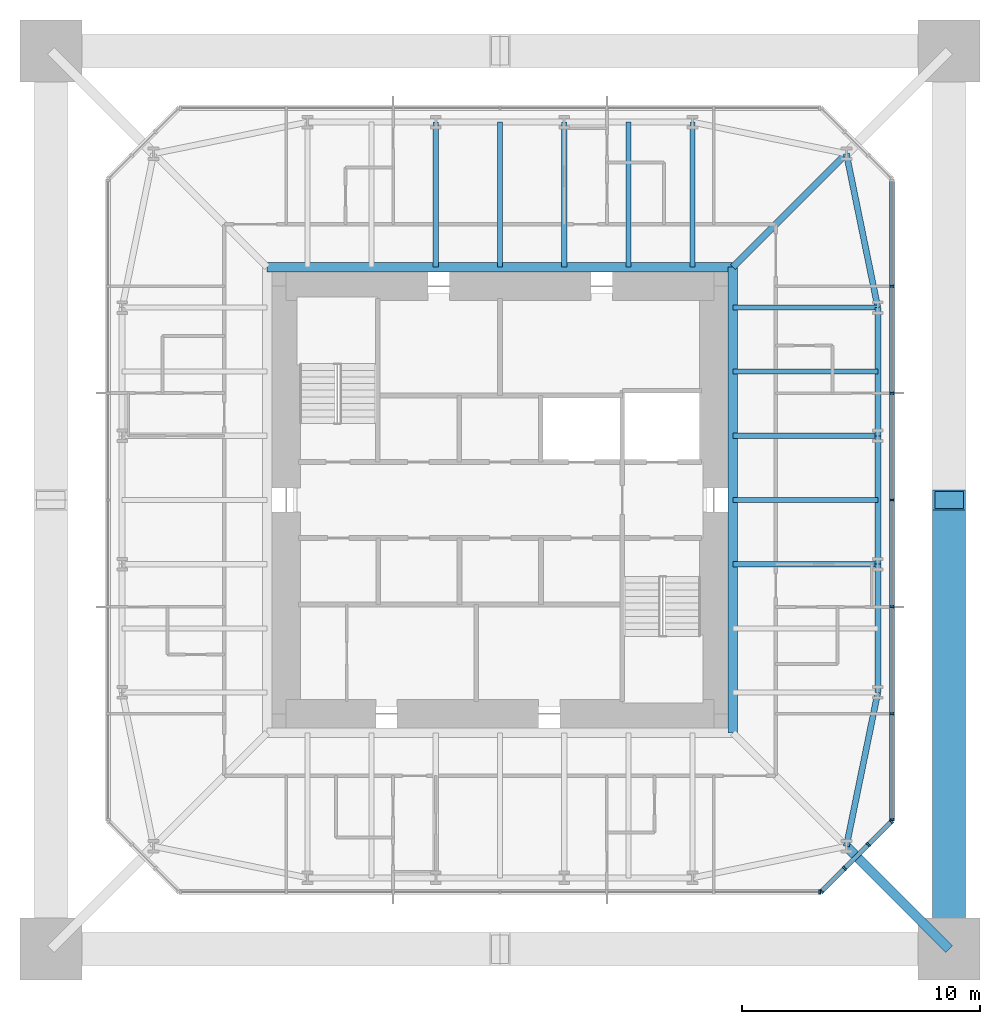
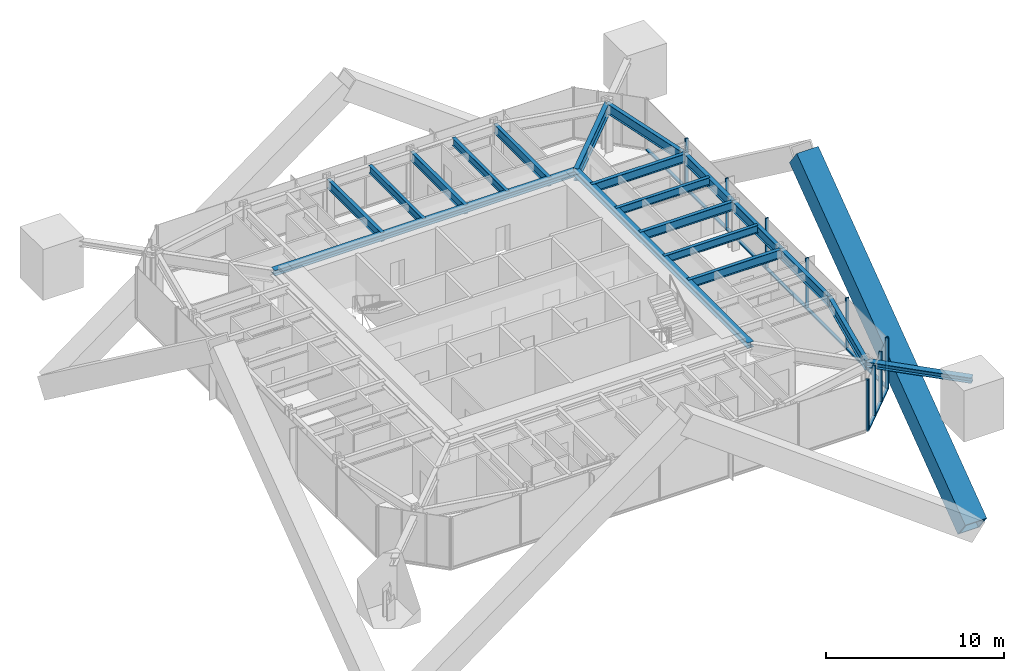
# One storey, part 4 of 10: 22 members, 18 beams, 3 elements without a shape of their own.
"""IFC4 building model written with IfcOpenShell, lengths in metres."""

from ifc_helpers import new_model, si_unit, direction, frame, origin, origin_2d, place, context, subcontext, project, spatial, rectangle, hollow_rectangle, i_section, extrude, material, material_profile, profile_set, type_object, element, aggregate, save


model = new_model("IFC4")

# Units and contexts
model_context = context("Model", 3, precision=1e-05, world=origin(), true_north=direction((0.0, 1.0)))
body_context = subcontext(model_context, "Body", "Model", "MODEL_VIEW")
ifc_project = project(units=[si_unit("LENGTHUNIT", "METRE"), si_unit("AREAUNIT", "SQUARE_METRE"), si_unit("VOLUMEUNIT", "CUBIC_METRE"), si_unit("PLANEANGLEUNIT", "RADIAN"), si_unit("MASSUNIT", "GRAM", prefix="KILO")], contexts=[model_context])

# Site, building, storey
site_placement = place(None, origin())
site = spatial("IfcSite", under=ifc_project, at=site_placement, CompositionType="ELEMENT")
building_placement = place(site_placement, origin())
building = spatial("IfcBuilding", under=site, at=building_placement, Name="Iwan Alto Co-Living Towers", CompositionType="ELEMENT")
storey_placement = place(building_placement, frame((0.0, 0.0, 246.5)))
storey = spatial("IfcBuildingStorey", under=building, at=storey_placement, Name="L67", CompositionType="ELEMENT", Elevation=246.5)

# Curtain wall, member
ifc_material_1 = material(Name="Bronze aluminium unitised frame", Category="aluminium")
curtain_wall_type_1 = type_object("IfcCurtainWallType", Name="CURTAIN WALL CW-A", PredefinedType="NOTDEFINED", material=ifc_material_1)
curtain_wall_1_placement = place(storey_placement, origin())
curtain_wall_1 = element("IfcCurtainWall", 1, at=curtain_wall_1_placement, inside=storey, type_object=curtain_wall_type_1, Name="T1 curtain wall S L67", PredefinedType="NOTDEFINED")
ifc_material_2 = material(Name="Aluminium 6063-T6 bronze anodised", Category="aluminium")
ifc_material_profile_1 = material_profile(ifc_material_2, rectangle(XDim=0.199951171875, YDim=0.080078125, at=origin_2d()), Name="AL 80X200")
ifc_profile_set_1 = profile_set([ifc_material_profile_1], Name="Aluminium 6063-T6 bronze anodised")
member_type_1 = type_object("IfcMemberType", Name="CW-A MULLION 80X200", PredefinedType="MULLION", material=ifc_profile_set_1)
member_1_placement = place(storey_placement, frame((13.4599609375, -16.5, 0.0), z_axis=(0.0, 0.0, 1.0), x_axis=(0.0, 1.0, 0.0)))
member_1 = element("IfcMember", 2, at=member_1_placement, type_object=member_type_1, Name="CW-A mullion 7", PredefinedType="MULLION", context=body_context, shape_type="SweptSolid", body=[
    extrude(rectangle(XDim=0.199951171875, YDim=0.080078125, at=origin_2d()), origin(), (0.0, 0.0, 1.0), 3.5),
])
aggregate(curtain_wall_1, [member_1])

# Curtain wall, members
curtain_wall_2_placement = place(storey_placement, origin())
curtain_wall_2 = element("IfcCurtainWall", 3, at=curtain_wall_2_placement, inside=storey, type_object=curtain_wall_type_1, Name="T1 curtain wall E L67", PredefinedType="NOTDEFINED")
member_2_placement = place(storey_placement, frame((16.5, -13.4599609375, 0.0), z_axis=(0.0, 0.0, 1.0), x_axis=(-1.0, 0.0, 0.0)))
member_2 = element("IfcMember", 4, at=member_2_placement, type_object=member_type_1, Name="CW-A mullion 1", PredefinedType="MULLION", context=body_context, shape_type="SweptSolid", body=[
    extrude(rectangle(XDim=0.199951171875, YDim=0.080078125, at=origin_2d()), origin(), (0.0, 0.0, 1.0), 3.5),
])
member_3_placement = place(storey_placement, frame((16.5, -9.0, 0.0), z_axis=(0.0, 0.0, 1.0), x_axis=(-1.0, 0.0, 0.0)))
member_3 = element("IfcMember", 5, at=member_3_placement, type_object=member_type_1, Name="CW-A mullion 2", PredefinedType="MULLION", context=body_context, shape_type="SweptSolid", body=[
    extrude(rectangle(XDim=0.199951171875, YDim=0.080078125, at=origin_2d()), origin(), (0.0, 0.0, 1.0), 3.5),
])
member_4_placement = place(storey_placement, frame((16.5, -4.5, 0.0), z_axis=(0.0, 0.0, 1.0), x_axis=(-1.0, 0.0, 0.0)))
member_4 = element("IfcMember", 6, at=member_4_placement, type_object=member_type_1, Name="CW-A mullion 3", PredefinedType="MULLION", context=body_context, shape_type="SweptSolid", body=[
    extrude(rectangle(XDim=0.199951171875, YDim=0.080078125, at=origin_2d()), origin(), (0.0, 0.0, 1.0), 3.5),
])
member_5_placement = place(storey_placement, frame((16.5, 0.0, 0.0), z_axis=(0.0, 0.0, 1.0), x_axis=(-1.0, 0.0, 0.0)))
member_5 = element("IfcMember", 7, at=member_5_placement, type_object=member_type_1, Name="CW-A mullion 4", PredefinedType="MULLION", context=body_context, shape_type="SweptSolid", body=[
    extrude(rectangle(XDim=0.199951171875, YDim=0.080078125, at=origin_2d()), origin(), (0.0, 0.0, 1.0), 3.5),
])
member_6_placement = place(storey_placement, frame((16.5, 4.5, 0.0), z_axis=(0.0, 0.0, 1.0), x_axis=(-1.0, 0.0, 0.0)))
member_6 = element("IfcMember", 8, at=member_6_placement, type_object=member_type_1, Name="CW-A mullion 5", PredefinedType="MULLION", context=body_context, shape_type="SweptSolid", body=[
    extrude(rectangle(XDim=0.199951171875, YDim=0.080078125, at=origin_2d()), origin(), (0.0, 0.0, 1.0), 3.5),
])
member_7_placement = place(storey_placement, frame((16.5, 9.0, 0.0), z_axis=(0.0, 0.0, 1.0), x_axis=(-1.0, 0.0, 0.0)))
member_7 = element("IfcMember", 9, at=member_7_placement, type_object=member_type_1, Name="CW-A mullion 6", PredefinedType="MULLION", context=body_context, shape_type="SweptSolid", body=[
    extrude(rectangle(XDim=0.199951171875, YDim=0.080078125, at=origin_2d()), origin(), (0.0, 0.0, 1.0), 3.5),
])
ifc_material_3 = material(Name="Aluminium 6063-T6 bronze anodised", Category="aluminium")
ifc_material_profile_2 = material_profile(ifc_material_3, rectangle(XDim=0.199951171875, YDim=0.10009765625, at=origin_2d()), Name="AL 200X100")
ifc_profile_set_2 = profile_set([ifc_material_profile_2], Name="Aluminium 6063-T6 bronze anodised")
member_type_2 = type_object("IfcMemberType", Name="CW-A TRANSOM 200X100", PredefinedType="USERDEFINED", material=ifc_profile_set_2)
member_8_placement = place(storey_placement, frame((16.5, -13.419921875, 0.050048828125), z_axis=(0.0, 1.0, 0.0), x_axis=(-1.0, 0.0, 0.0)))
member_8 = element("IfcMember", 10, at=member_8_placement, type_object=member_type_2, Name="CW-A transom 1.1", ObjectType="TRANSOM", PredefinedType="USERDEFINED", context=body_context, shape_type="SweptSolid", body=[
    extrude(rectangle(XDim=0.199951171875, YDim=0.10009765625, at=origin_2d()), origin(), (0.0, 0.0, 1.0), 4.3798828125),
])
member_9_placement = place(storey_placement, frame((16.5, -8.9599609375, 0.050048828125), z_axis=(0.0, 1.0, 0.0), x_axis=(-1.0, 0.0, 0.0)))
member_9 = element("IfcMember", 11, at=member_9_placement, type_object=member_type_2, Name="CW-A transom 2.1", ObjectType="TRANSOM", PredefinedType="USERDEFINED", context=body_context, shape_type="SweptSolid", body=[
    extrude(rectangle(XDim=0.199951171875, YDim=0.10009765625, at=origin_2d()), origin(), (0.0, 0.0, 1.0), 4.419921875),
])
member_10_placement = place(storey_placement, frame((16.5, -4.4599609375, 0.050048828125), z_axis=(0.0, 1.0, 0.0), x_axis=(-1.0, 0.0, 0.0)))
member_10 = element("IfcMember", 12, at=member_10_placement, type_object=member_type_2, Name="CW-A transom 3.1", ObjectType="TRANSOM", PredefinedType="USERDEFINED", context=body_context, shape_type="SweptSolid", body=[
    extrude(rectangle(XDim=0.199951171875, YDim=0.10009765625, at=origin_2d()), origin(), (0.0, 0.0, 1.0), 4.419921875),
])
member_11_placement = place(storey_placement, frame((16.5, 0.0400390625, 0.050048828125), z_axis=(0.0, 1.0, 0.0), x_axis=(-1.0, 0.0, 0.0)))
member_11 = element("IfcMember", 13, at=member_11_placement, type_object=member_type_2, Name="CW-A transom 4.1", ObjectType="TRANSOM", PredefinedType="USERDEFINED", context=body_context, shape_type="SweptSolid", body=[
    extrude(rectangle(XDim=0.199951171875, YDim=0.10009765625, at=origin_2d()), origin(), (0.0, 0.0, 1.0), 4.419921875),
])
member_12_placement = place(storey_placement, frame((16.5, 4.5400390625, 0.050048828125), z_axis=(0.0, 1.0, 0.0), x_axis=(-1.0, 0.0, 0.0)))
member_12 = element("IfcMember", 14, at=member_12_placement, type_object=member_type_2, Name="CW-A transom 5.1", ObjectType="TRANSOM", PredefinedType="USERDEFINED", context=body_context, shape_type="SweptSolid", body=[
    extrude(rectangle(XDim=0.199951171875, YDim=0.10009765625, at=origin_2d()), origin(), (0.0, 0.0, 1.0), 4.419921875),
])
member_13_placement = place(storey_placement, frame((16.5, 9.0400390625, 0.050048828125), z_axis=(0.0, 1.0, 0.0), x_axis=(-1.0, 0.0, 0.0)))
member_13 = element("IfcMember", 15, at=member_13_placement, type_object=member_type_2, Name="CW-A transom 6.1", ObjectType="TRANSOM", PredefinedType="USERDEFINED", context=body_context, shape_type="SweptSolid", body=[
    extrude(rectangle(XDim=0.199951171875, YDim=0.10009765625, at=origin_2d()), origin(), (0.0, 0.0, 1.0), 4.3798828125),
])
aggregate(curtain_wall_2, [member_2, member_3, member_4, member_5, member_6, member_7, member_8, member_9, member_10, member_11, member_12, member_13])

ifc_material_4 = material(Name="Bronze aluminium unitised frame", Category="aluminium")
curtain_wall_type_2 = type_object("IfcCurtainWallType", Name="CURTAIN WALL CW-B", PredefinedType="NOTDEFINED", material=ifc_material_4)
curtain_wall_3_placement = place(storey_placement, origin())
curtain_wall_3 = element("IfcCurtainWall", 16, at=curtain_wall_3_placement, inside=storey, type_object=curtain_wall_type_2, Name="T1 chamfer curtain wall SE L67", PredefinedType="NOTDEFINED")
ifc_material_5 = material(Name="Aluminium 6063-T6 bronze anodised", Category="aluminium")
ifc_material_profile_3 = material_profile(ifc_material_5, rectangle(XDim=0.199951171875, YDim=0.080078125, at=origin_2d()), Name="AL 80X200")
ifc_profile_set_3 = profile_set([ifc_material_profile_3], Name="Aluminium 6063-T6 bronze anodised")
member_type_3 = type_object("IfcMemberType", Name="CW-B MULLION 80X200", PredefinedType="MULLION", material=ifc_profile_set_3)
member_14_placement = place(storey_placement, frame((13.5283203125, -16.4716796875, 0.0), z_axis=(0.0, 0.0, 1.0), x_axis=(-0.707106781187, 0.707106781187, 0.0)))
member_14 = element("IfcMember", 17, at=member_14_placement, type_object=member_type_3, Name="CW-B mullion 1", PredefinedType="MULLION", context=body_context, shape_type="SweptSolid", body=[
    extrude(rectangle(XDim=0.199951171875, YDim=0.080078125, at=origin_2d()), origin(), (0.0, 0.0, 1.0), 3.5),
])
member_15_placement = place(storey_placement, frame((14.5, -15.5, 0.0), z_axis=(0.0, 0.0, 1.0), x_axis=(-0.707106781187, 0.707106781187, 0.0)))
member_15 = element("IfcMember", 18, at=member_15_placement, type_object=member_type_3, Name="CW-B mullion 2", PredefinedType="MULLION", context=body_context, shape_type="SweptSolid", body=[
    extrude(rectangle(XDim=0.199951171875, YDim=0.080078125, at=origin_2d()), origin(), (0.0, 0.0, 1.0), 3.5),
])
member_16_placement = place(storey_placement, frame((15.5, -14.5, 0.0), z_axis=(0.0, 0.0, 1.0), x_axis=(-0.707106781187, 0.707106781187, 0.0)))
member_16 = element("IfcMember", 19, at=member_16_placement, type_object=member_type_3, Name="CW-B mullion 3", PredefinedType="MULLION", context=body_context, shape_type="SweptSolid", body=[
    extrude(rectangle(XDim=0.199951171875, YDim=0.080078125, at=origin_2d()), origin(), (0.0, 0.0, 1.0), 3.5),
])
member_17_placement = place(storey_placement, frame((16.4716796875, -13.5283203125, 0.0), z_axis=(0.0, 0.0, 1.0), x_axis=(-0.707106781187, 0.707106781187, 0.0)))
member_17 = element("IfcMember", 20, at=member_17_placement, type_object=member_type_3, Name="CW-B mullion 4", PredefinedType="MULLION", context=body_context, shape_type="SweptSolid", body=[
    extrude(rectangle(XDim=0.199951171875, YDim=0.080078125, at=origin_2d()), origin(), (0.0, 0.0, 1.0), 3.5),
])
ifc_material_6 = material(Name="Aluminium 6063-T6 bronze anodised", Category="aluminium")
ifc_material_profile_4 = material_profile(ifc_material_6, rectangle(XDim=0.199951171875, YDim=0.10009765625, at=origin_2d()), Name="AL 200X100")
ifc_profile_set_4 = profile_set([ifc_material_profile_4], Name="Aluminium 6063-T6 bronze anodised")
member_type_4 = type_object("IfcMemberType", Name="CW-B TRANSOM 200X100", PredefinedType="USERDEFINED", material=ifc_profile_set_4)
member_18_placement = place(storey_placement, frame((13.556640625, -16.443359375, 0.050048828125), z_axis=(0.707106781187, 0.707106781187, 0.0), x_axis=(-0.707106781187, 0.707106781187, 0.0)))
member_18 = element("IfcMember", 21, at=member_18_placement, type_object=member_type_4, Name="CW-B transom 1.1", ObjectType="TRANSOM", PredefinedType="USERDEFINED", context=body_context, shape_type="SweptSolid", body=[
    extrude(rectangle(XDim=0.199951171875, YDim=0.10009765625, at=origin_2d()), origin(), (0.0, 0.0, 1.0), 1.2939453125),
])
member_19_placement = place(storey_placement, frame((14.5283203125, -15.4716796875, 0.050048828125), z_axis=(0.707106781187, 0.707106781187, 0.0), x_axis=(-0.707106781187, 0.707106781187, 0.0)))
member_19 = element("IfcMember", 22, at=member_19_placement, type_object=member_type_4, Name="CW-B transom 2.1", ObjectType="TRANSOM", PredefinedType="USERDEFINED", context=body_context, shape_type="SweptSolid", body=[
    extrude(rectangle(XDim=0.199951171875, YDim=0.10009765625, at=origin_2d()), origin(), (0.0, 0.0, 1.0), 1.334228515625),
])
member_20_placement = place(storey_placement, frame((15.5283203125, -14.4716796875, 0.050048828125), z_axis=(0.707106781187, 0.707106781187, 0.0), x_axis=(-0.707106781187, 0.707106781187, 0.0)))
member_20 = element("IfcMember", 23, at=member_20_placement, type_object=member_type_4, Name="CW-B transom 3.1", ObjectType="TRANSOM", PredefinedType="USERDEFINED", context=body_context, shape_type="SweptSolid", body=[
    extrude(rectangle(XDim=0.199951171875, YDim=0.10009765625, at=origin_2d()), origin(), (0.0, 0.0, 1.0), 1.2939453125),
])
aggregate(curtain_wall_3, [member_14, member_15, member_16, member_17, member_18, member_19, member_20])

# Beams
ifc_material_7 = material(Name="Steel ASTM A992 Gr 50", Category="steel")
ifc_material_profile_5 = material_profile(ifc_material_7, i_section(OverallWidth=0.398681640625, OverallDepth=0.385986328125, WebThickness=0.02099609375, FlangeThickness=0.033203125, at=origin_2d()), Name="W14X176")
ifc_profile_set_5 = profile_set([ifc_material_profile_5], Name="Steel ASTM A992 Gr 50")
beam_type_1 = type_object("IfcBeamType", Name="T1 CORE LEDGER BEAM W14X176", PredefinedType="BEAM", material=ifc_profile_set_5)
for number, where, z_axis, x_axis, name in (
    (24, (9.79931640625, -9.79931640625, 3.076904296875), (0.0, 1.0, 0.0), (-1.0, 0.0, 0.0), "T1 core ledger beam E L68"),
    (25, (9.79931640625, 9.79931640625, 3.076904296875), (-1.0, 0.0, 0.0), (0.0, -1.0, 0.0), "T1 core ledger beam N L68"),
):
    element("IfcBeam", number, at=place(storey_placement, frame(where, z_axis=z_axis, x_axis=x_axis)), inside=storey, type_object=beam_type_1, Name=name, PredefinedType="BEAM", context=body_context, shape_type="SweptSolid", body=[
        extrude(i_section(OverallWidth=0.398681640625, OverallDepth=0.385986328125, WebThickness=0.02099609375, FlangeThickness=0.033203125, at=origin_2d()), origin(), (0.0, 0.0, 1.0), 19.5986328125),
    ])
ifc_material_8 = material(Name="Steel ASTM A992 Gr 50", Category="steel")
ifc_material_profile_6 = material_profile(ifc_material_8, i_section(OverallWidth=0.2919921875, OverallDepth=0.8408203125, WebThickness=0.0146484375, FlangeThickness=0.021728515625, at=origin_2d()), Name="W33X130")
ifc_profile_set_6 = profile_set([ifc_material_profile_6], Name="Steel ASTM A992 Gr 50")
beam_type_2 = type_object("IfcBeamType", Name="T1 CORNER GIRDER W33X130", PredefinedType="BEAM", material=ifc_profile_set_6)
beam_1_placement = place(storey_placement, frame((14.57568359375, 14.57568359375, 2.849609375), z_axis=(-0.707106781187, -0.707106781187, 0.0), x_axis=(0.707106781187, -0.707106781187, 0.0)))
element("IfcBeam", 26, at=beam_1_placement, inside=storey, type_object=beam_type_2, Name="T1 corner girder CNE L68", PredefinedType="BEAM", context=body_context, shape_type="SweptSolid", body=[
    extrude(i_section(OverallWidth=0.2919921875, OverallDepth=0.8408203125, WebThickness=0.0146484375, FlangeThickness=0.021728515625, at=origin_2d()), origin(), (0.0, 0.0, 1.0), 6.7548828125),
])
ifc_material_9 = material(Name="Steel ASTM A992 Gr 50", Category="steel")
ifc_material_profile_7 = material_profile(ifc_material_9, i_section(OverallWidth=0.25390625, OverallDepth=0.683349609375, WebThickness=0.012451171875, FlangeThickness=0.018798828125, at=origin_2d()), Name="W27X94")
ifc_profile_set_7 = profile_set([ifc_material_profile_7], Name="Steel ASTM A992 Gr 50")
beam_type_3 = type_object("IfcBeamType", Name="T1 EDGE BEAM W27X94", PredefinedType="BEAM", material=ifc_profile_set_7)
beam_2_placement = place(storey_placement, frame((14.57568359375, -14.57568359375, 2.928466796875), z_axis=(0.200347889618, 0.979724820103, 0.0), x_axis=(-0.979724820103, 0.200347889618, 0.0)))
element("IfcBeam", 27, at=beam_2_placement, inside=storey, type_object=beam_type_3, Name="T1 edge beam CSE L68", PredefinedType="BEAM", context=body_context, shape_type="SweptSolid", body=[
    extrude(i_section(OverallWidth=0.25390625, OverallDepth=0.683349609375, WebThickness=0.012451171875, FlangeThickness=0.018798828125, at=origin_2d()), origin(), (0.0, 0.0, 1.0), 6.609619140625),
])
beam_3_placement = place(storey_placement, frame((15.89990234375, -8.10009765625, 2.928466796875), z_axis=(0.0, 1.0, 0.0), x_axis=(-1.0, 0.0, 0.0)))
element("IfcBeam", 28, at=beam_3_placement, inside=storey, type_object=beam_type_3, Name="T1 edge beam E1 L68", PredefinedType="BEAM", context=body_context, shape_type="SweptSolid", body=[
    extrude(i_section(OverallWidth=0.25390625, OverallDepth=0.683349609375, WebThickness=0.012451171875, FlangeThickness=0.018798828125, at=origin_2d()), origin(), (0.0, 0.0, 1.0), 5.400146484375),
])
beam_4_placement = place(storey_placement, frame((15.89990234375, -2.699951171875, 2.928466796875), z_axis=(0.0, 1.0, 0.0), x_axis=(-1.0, 0.0, 0.0)))
element("IfcBeam", 29, at=beam_4_placement, inside=storey, type_object=beam_type_3, Name="T1 edge beam E2 L68", PredefinedType="BEAM", context=body_context, shape_type="SweptSolid", body=[
    extrude(i_section(OverallWidth=0.25390625, OverallDepth=0.683349609375, WebThickness=0.012451171875, FlangeThickness=0.018798828125, at=origin_2d()), origin(), (0.0, 0.0, 1.0), 5.39990234375),
])
beam_5_placement = place(storey_placement, frame((15.89990234375, 2.699951171875, 2.928466796875), z_axis=(0.0, 1.0, 0.0), x_axis=(-1.0, 0.0, 0.0)))
element("IfcBeam", 30, at=beam_5_placement, inside=storey, type_object=beam_type_3, Name="T1 edge beam E3 L68", PredefinedType="BEAM", context=body_context, shape_type="SweptSolid", body=[
    extrude(i_section(OverallWidth=0.25390625, OverallDepth=0.683349609375, WebThickness=0.012451171875, FlangeThickness=0.018798828125, at=origin_2d()), origin(), (0.0, 0.0, 1.0), 5.400146484375),
])
beam_6_placement = place(storey_placement, frame((15.89990234375, 8.10009765625, 2.928466796875), z_axis=(-0.200347889618, 0.979724820103, 0.0), x_axis=(-0.979724820103, -0.200347889618, 0.0)))
element("IfcBeam", 31, at=beam_6_placement, inside=storey, type_object=beam_type_3, Name="T1 edge beam E4 L68", PredefinedType="BEAM", context=body_context, shape_type="SweptSolid", body=[
    extrude(i_section(OverallWidth=0.25390625, OverallDepth=0.683349609375, WebThickness=0.012451171875, FlangeThickness=0.018798828125, at=origin_2d()), origin(), (0.0, 0.0, 1.0), 6.609619140625),
])

# Members
ifc_material_10 = material(Name="Steel ASTM A572 Gr 50", Category="steel")
ifc_material_profile_8 = material_profile(ifc_material_10, hollow_rectangle(XDim=1.39990234375, YDim=1.39990234375, WallThickness=0.10009765625, at=origin_2d()), Name="BOX 1400X1400X100")
ifc_profile_set_8 = profile_set([ifc_material_profile_8], Name="Steel ASTM A572 Gr 50")
member_type_5 = type_object("IfcMemberType", Name="T1 MEGA BRACE BOX 1400X1400X100", PredefinedType="BRACE", material=ifc_profile_set_8)
member_21_placement = place(storey_placement, frame((18.89990234375, -18.89990234375, -7.0), z_axis=(0.0, 0.803555722309, 0.595229536519), x_axis=(-1.0, 0.0, 0.0)))
element("IfcMember", 32, at=member_21_placement, inside=storey, type_object=member_type_5, Name="T1 mega brace Z4B E 1 lower", PredefinedType="BRACE", context=body_context, shape_type="SweptSolid", body=[
    extrude(hollow_rectangle(XDim=1.39990234375, YDim=1.39990234375, WallThickness=0.10009765625, at=origin_2d()), origin(), (0.0, 0.0, 1.0), 23.520263671875),
])
ifc_material_11 = material(Name="Steel ASTM A992 Gr 50", Category="steel")
ifc_material_profile_9 = material_profile(ifc_material_11, i_section(OverallWidth=0.393798828125, OverallDepth=0.3759765625, WebThickness=0.017333984375, FlangeThickness=0.027587890625, at=origin_2d()), Name="W14X145")
ifc_profile_set_9 = profile_set([ifc_material_profile_9], Name="Steel ASTM A992 Gr 50")
member_type_6 = type_object("IfcMemberType", Name="T1 MEGA COLUMN FLOOR TIE W14X145", PredefinedType="STRUT", material=ifc_profile_set_9)
member_22_placement = place(storey_placement, frame((18.89990234375, -18.89990234375, 3.08203125), z_axis=(-0.707106781187, 0.707106781187, 0.0), x_axis=(-0.707106781187, -0.707106781187, 0.0)))
element("IfcMember", 33, at=member_22_placement, inside=storey, type_object=member_type_6, Name="T1 mega column floor tie SE L68", PredefinedType="STRUT", context=body_context, shape_type="SweptSolid", body=[
    extrude(i_section(OverallWidth=0.393798828125, OverallDepth=0.3759765625, WebThickness=0.017333984375, FlangeThickness=0.027587890625, at=origin_2d()), origin(), (0.0, 0.0, 1.0), 6.115478515625),
])

# Beams
ifc_material_12 = material(Name="Steel ASTM A992 Gr 50", Category="steel")
ifc_material_profile_10 = material_profile(ifc_material_12, i_section(OverallWidth=0.228271484375, OverallDepth=0.607177734375, WebThickness=0.01123046875, FlangeThickness=0.017333984375, at=origin_2d()), Name="W24X76")
ifc_profile_set_10 = profile_set([ifc_material_profile_10], Name="Steel ASTM A992 Gr 50")
beam_type_4 = type_object("IfcBeamType", Name="T1 RADIAL BEAM W24X76", PredefinedType="BEAM", material=ifc_profile_set_10)
for number, where, z_axis, x_axis, name in (
    (34, (15.89990234375, -2.699951171875, 2.966552734375), (-1.0, 0.0, 0.0), (0.0, -1.0, 0.0), "T1 radial beam E2 L68"),
    (35, (15.89990234375, 2.699951171875, 2.966552734375), (-1.0, 0.0, 0.0), (0.0, -1.0, 0.0), "T1 radial beam E3 L68"),
    (36, (15.89990234375, 8.10009765625, 2.966552734375), (-1.0, 0.0, 0.0), (0.0, -1.0, 0.0), "T1 radial beam E4 L68"),
    (37, (8.10009765625, 15.89990234375, 2.966552734375), (0.0, -1.0, 0.0), (1.0, 0.0, 0.0), "T1 radial beam N1 L68"),
    (38, (2.699951171875, 15.89990234375, 2.966552734375), (0.0, -1.0, 0.0), (1.0, 0.0, 0.0), "T1 radial beam N2 L68"),
    (39, (-2.699951171875, 15.89990234375, 2.966552734375), (0.0, -1.0, 0.0), (1.0, 0.0, 0.0), "T1 radial beam N3 L68"),
):
    element("IfcBeam", number, at=place(storey_placement, frame(where, z_axis=z_axis, x_axis=x_axis)), inside=storey, type_object=beam_type_4, Name=name, PredefinedType="BEAM", context=body_context, shape_type="SweptSolid", body=[
        extrude(i_section(OverallWidth=0.228271484375, OverallDepth=0.607177734375, WebThickness=0.01123046875, FlangeThickness=0.017333984375, at=origin_2d()), origin(), (0.0, 0.0, 1.0), 6.1005859375),
    ])
ifc_material_13 = material(Name="Steel ASTM A992 Gr 50", Category="steel")
ifc_material_profile_11 = material_profile(ifc_material_13, i_section(OverallWidth=0.209228515625, OverallDepth=0.533447265625, WebThickness=0.01025390625, FlangeThickness=0.015625, at=origin_2d()), Name="W21X62")
ifc_profile_set_11 = profile_set([ifc_material_profile_11], Name="Steel ASTM A992 Gr 50")
beam_type_5 = type_object("IfcBeamType", Name="T1 SECONDARY BEAM W21X62", PredefinedType="JOIST", material=ifc_profile_set_11)
for number, where, z_axis, x_axis, name in (
    (40, (15.89990234375, 0.0, 3.00341796875), (-1.0, 0.0, 0.0), (0.0, -1.0, 0.0), "T1 secondary beam E2 L68"),
    (41, (15.89990234375, 5.39990234375, 3.00341796875), (-1.0, 0.0, 0.0), (0.0, -1.0, 0.0), "T1 secondary beam E3 L68"),
    (42, (5.39990234375, 15.89990234375, 3.00341796875), (0.0, -1.0, 0.0), (1.0, 0.0, 0.0), "T1 secondary beam N1 L68"),
    (43, (0.0, 15.89990234375, 3.00341796875), (0.0, -1.0, 0.0), (1.0, 0.0, 0.0), "T1 secondary beam N2 L68"),
):
    element("IfcBeam", number, at=place(storey_placement, frame(where, z_axis=z_axis, x_axis=x_axis)), inside=storey, type_object=beam_type_5, Name=name, PredefinedType="JOIST", context=body_context, shape_type="SweptSolid", body=[
        extrude(i_section(OverallWidth=0.209228515625, OverallDepth=0.533447265625, WebThickness=0.01025390625, FlangeThickness=0.015625, at=origin_2d()), origin(), (0.0, 0.0, 1.0), 6.1005859375),
    ])

save(model, "model.ifc")
